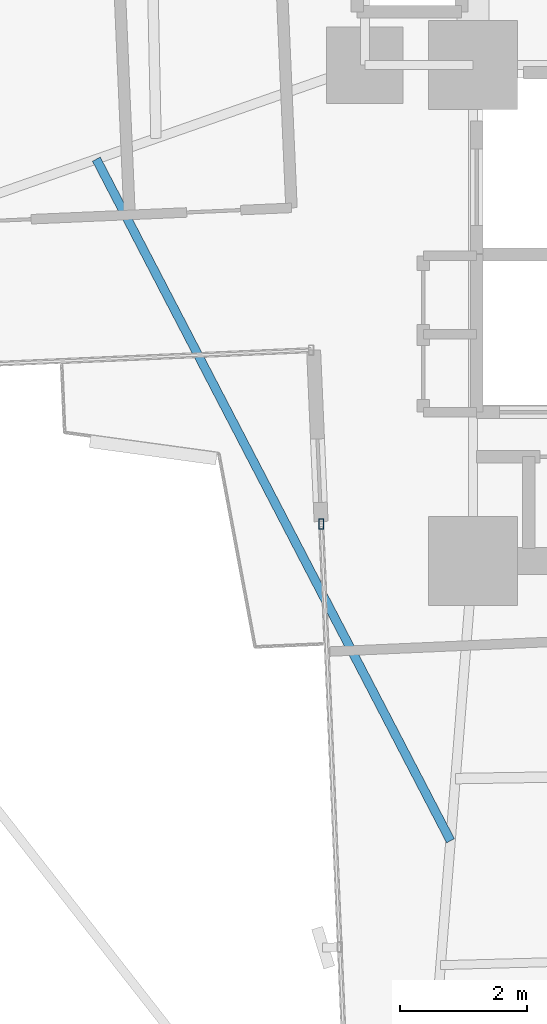
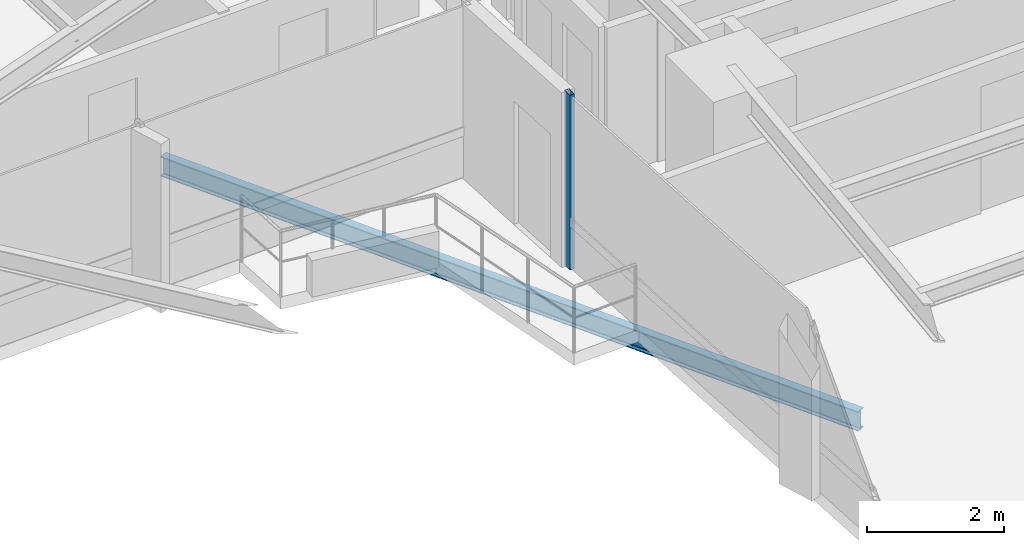
# One storey, part 5 of 26: 1 beam, 1 member, 1 element without a shape of its own.
"""IFC4 building model written with IfcOpenShell, lengths in metres."""

from ifc_helpers import new_model, si_unit, direction, frame, origin, origin_2d, place, context, subcontext, project, spatial, hollow_rectangle, i_section, extrude, source, transform, mapped, material, material_profile, profile_set, type_object, element, aggregate, save


model = new_model("IFC4")

# Units and contexts
model_context = context("Model", 3, precision=1e-05, world=origin(), true_north=direction((0.0, 1.0)))
body_context = subcontext(model_context, "Body", "Model", "MODEL_VIEW")
ifc_project = project(units=[si_unit("LENGTHUNIT", "METRE"), si_unit("AREAUNIT", "SQUARE_METRE"), si_unit("VOLUMEUNIT", "CUBIC_METRE"), si_unit("PLANEANGLEUNIT", "RADIAN"), si_unit("MASSUNIT", "GRAM", prefix="KILO")], contexts=[model_context])

# Site, building, storey
site_placement = place(None, origin())
site = spatial("IfcSite", under=ifc_project, at=site_placement, CompositionType="ELEMENT")
building_placement = place(site_placement, origin())
building = spatial("IfcBuilding", under=site, at=building_placement, Name="Sahyath Konkavel Grand Hotel", CompositionType="ELEMENT")
storey_placement = place(building_placement, frame((0.0, 0.0, 131.550048828125)))
storey = spatial("IfcBuildingStorey", under=building, at=storey_placement, Name="L36", CompositionType="ELEMENT", Elevation=131.550048828125)

# Curtain wall, member
ifc_material_1 = material(Name="Anodised Bronze Aluminium & Low-E Glazing", Category="aluminium")
curtain_wall_type = type_object("IfcCurtainWallType", Name="CW-ZONE2", PredefinedType="NOTDEFINED", material=ifc_material_1)
curtain_wall_placement = place(storey_placement, origin())
curtain_wall = element("IfcCurtainWall", 1, at=curtain_wall_placement, inside=storey, type_object=curtain_wall_type, Name="L36 Unitised Curtain Wall F24", PredefinedType="NOTDEFINED")
ifc_material_2 = material(Name="Anodised Bronze Aluminium", Category="aluminium")
ifc_material_profile_1 = material_profile(ifc_material_2, hollow_rectangle(XDim=0.080078125, YDim=0.159912109375, WallThickness=0.006103515625, at=origin_2d()), Name="RHS 160x80x6")
ifc_profile_set_1 = profile_set([ifc_material_profile_1], Name="Anodised Bronze Aluminium")
member_type = type_object("IfcMemberType", Name="CW-MUL-160", PredefinedType="MULLION", material=ifc_profile_set_1)
shared_shape_1 = source(origin(), body_context, "Body", "SweptSolid", [
    extrude(hollow_rectangle(XDim=0.080078125, YDim=0.159912109375, WallThickness=0.006103515625, at=origin_2d()), origin(), (0.0, 0.0, 1.0), 3.10986328125),
])
member_placement = place(storey_placement, frame((-6.186279296875, -9.618896484375, 0.0), z_axis=(0.0, 0.0, 1.0), x_axis=(1.0, 0.0, 0.0)))
member = element("IfcMember", 2, at=member_placement, type_object=member_type, Name="L36 Curtain Wall Mullion F24-0", PredefinedType="MULLION", context=body_context, shape_type="MappedRepresentation", body=[
    mapped(shared_shape_1, transform((0.0, 0.0, 0.0), scale=1.0)),
])
aggregate(curtain_wall, [member])

# Beam
ifc_material_3 = material(Name="Steel E350", Category="steel")
ifc_material_profile_2 = material_profile(ifc_material_3, i_section(OverallWidth=0.139892578125, OverallDepth=0.35009765625, WebThickness=0.008056640625, FlangeThickness=0.01416015625, FilletRadius=0.013916015625, at=origin_2d()), Name="ISMB 350")
ifc_profile_set_2 = profile_set([ifc_material_profile_2], Name="Steel E350")
beam_type = type_object("IfcBeamType", Name="BM-BALC-CANT", PredefinedType="BEAM", material=ifc_profile_set_2)
shared_shape_2 = source(origin(), body_context, "Body", "SweptSolid", [
    extrude(i_section(OverallWidth=0.139892578125, OverallDepth=0.35009765625, WebThickness=0.008056640625, FlangeThickness=0.01416015625, FilletRadius=0.013916015625, at=origin_2d()), origin(), (0.0, 0.0, 1.0), 12.085205078125),
])
beam_placement = place(storey_placement, frame((-9.7236328125, -3.87890625, -0.4150390625), z_axis=(0.461082384626, -0.887357331962, 0.0), x_axis=(0.887357331962, 0.461082384626, 0.0)))
element("IfcBeam", 3, at=beam_placement, inside=storey, type_object=beam_type, Name="L36 Balcony Cantilever Support Beam SW", PredefinedType="BEAM", context=body_context, shape_type="MappedRepresentation", body=[
    mapped(shared_shape_2, transform((0.0, 0.0, 0.0), scale=1.0)),
])

save(model, "model.ifc")
